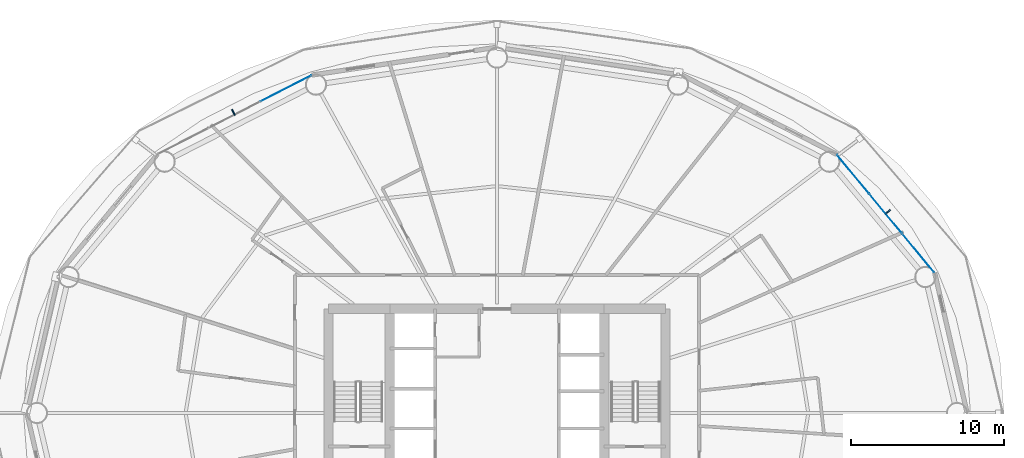
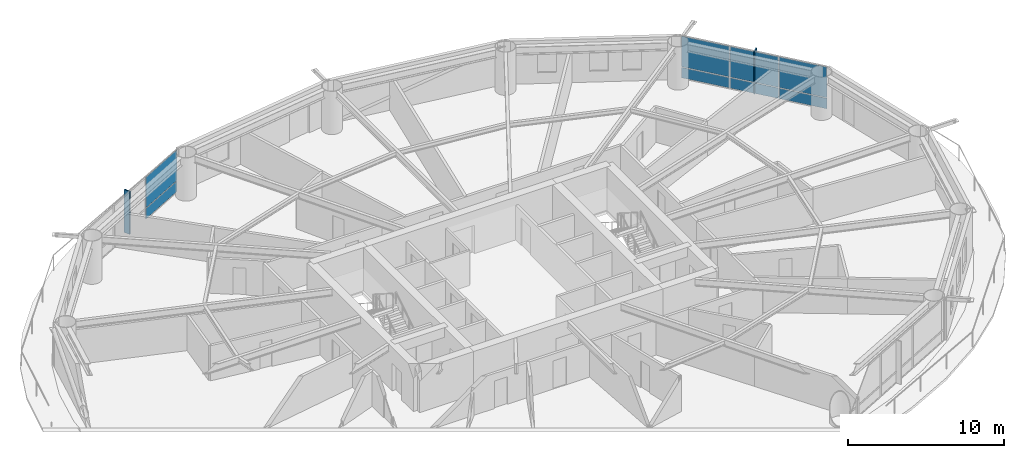
# One storey, part 18 of 26: 10 plates, 2 elements without a shape of their own.
"""IFC4 building model written with IfcOpenShell, lengths in metres."""

import ifcopenshell
import ifcopenshell.guid

model = None  # the IFC model being written
_history = None  # IfcOwnerHistory: only IFC2X3 demands one
_inside = {}  # id of a spatial element -> (the spatial element, [elements in it])
_under = {}  # id of a project, library or spatial element -> (it, [spatial elements below it])
_declared = {}  # id of a project -> (the project, [libraries it declares])
_typed = {}  # id of a type object -> (the type object, [elements of that type])
_made_of = {}  # id of a material, layer set ... -> (it, [elements and type objects made of it])


def new_model(schema):
    """Start an empty IFC model of exactly this schema.

    Asked for "IFC4X3", IfcOpenShell would pick the latest addendum, in which some entities
    have other attributes; the version numbers below select the first issue.
    IFC2X3 requires an IfcOwnerHistory on every rooted entity: one is made here for all.
    """
    global model, _history
    if schema == "IFC4X3":
        model = ifcopenshell.file(schema_version=(4, 3, 0, 0))
    else:
        model = ifcopenshell.file(schema=schema)
    _inside.clear()
    _under.clear()
    _declared.clear()
    _typed.clear()
    _made_of.clear()
    _history = None
    if model.schema == "IFC2X3":
        org = make("IfcOrganization", Name="unknown")
        user = make(
            "IfcPersonAndOrganization",
            ThePerson=make("IfcPerson", FamilyName="unknown"),
            TheOrganization=org,
        )
        app = make(
            "IfcApplication",
            ApplicationDeveloper=org,
            Version="unknown",
            ApplicationFullName="unknown",
            ApplicationIdentifier="unknown",
        )
        _history = make(
            "IfcOwnerHistory",
            OwningUser=user,
            OwningApplication=app,
            ChangeAction="ADDED",
            CreationDate=0,
        )
    return model


def make(cls, **values):
    """One entity of the class cls with the attributes given. An attribute that is None is left unset."""
    return model.create_entity(
        cls, **{name: value for name, value in values.items() if value is not None}
    )


def rooted(cls, **values):
    """An entity with a GlobalId (a new one), such as an element, a storey or a relation."""
    return make(cls, GlobalId=ifcopenshell.guid.new(), OwnerHistory=_history, **values)


def si_unit(unit_type, name, prefix=None):
    """IfcSIUnit, for example si_unit("LENGTHUNIT", "METRE", prefix="MILLI")."""
    return make("IfcSIUnit", UnitType=unit_type, Prefix=prefix, Name=name)


def assignment(units):
    """IfcUnitAssignment: the units of a project."""
    return None if units is None else make("IfcUnitAssignment", Units=units)


def point(xyz):
    """IfcCartesianPoint."""
    return None if xyz is None else make("IfcCartesianPoint", Coordinates=xyz)


def direction(xyz):
    """IfcDirection."""
    return None if xyz is None else make("IfcDirection", DirectionRatios=xyz)


def frame(location, z_axis=None, x_axis=None):
    """IfcAxis2Placement3D, a coordinate frame: its origin and axes. An axis left out is left unset."""
    return make(
        "IfcAxis2Placement3D",
        Location=point(location),
        Axis=direction(z_axis),
        RefDirection=direction(x_axis),
    )


def frame_2d(location, x_axis=None):
    """IfcAxis2Placement2D, a coordinate frame in the plane: its origin and x axis."""
    return make(
        "IfcAxis2Placement2D", Location=point(location), RefDirection=direction(x_axis)
    )


def origin():
    """The frame at (0, 0, 0) with its axes left unset."""
    return frame((0.0, 0.0, 0.0))


def origin_2d():
    """The frame at (0, 0) in the plane with its x axis left unset."""
    return frame_2d((0.0, 0.0))


def place(relative_to, where):
    """IfcLocalPlacement: puts the frame where relative to a parent placement (None: the world)."""
    return make(
        "IfcLocalPlacement", PlacementRelTo=relative_to, RelativePlacement=where
    )


def context(
    kind, dimensions, precision=None, world=None, true_north=None, identifier=None
):
    """IfcGeometricRepresentationContext, for example the 3D "Model" context."""
    return make(
        "IfcGeometricRepresentationContext",
        ContextIdentifier=identifier,
        ContextType=kind,
        CoordinateSpaceDimension=dimensions,
        Precision=precision,
        WorldCoordinateSystem=world,
        TrueNorth=true_north,
    )


def subcontext(parent, identifier, kind, view, scale=None):
    """IfcGeometricRepresentationSubContext, for example "Body" below "Model"."""
    return make(
        "IfcGeometricRepresentationSubContext",
        ContextIdentifier=identifier,
        ContextType=kind,
        ParentContext=parent,
        TargetScale=scale,
        TargetView=view,
    )


def project(units=None, contexts=None):
    """IfcProject with its units and contexts."""
    return rooted(
        "IfcProject",
        Name="project",
        RepresentationContexts=contexts,
        UnitsInContext=assignment(units),
    )


def spatial(cls, under=None, at=None, **own):
    """A site, building, storey or space (cls), placed at a placement, below another one or the project."""
    s = rooted(cls, ObjectPlacement=at, **own)
    if under is not None:
        _under.setdefault(under.id(), (under, []))[1].append(s)
    return s


def profile(cls, at=None, kind="AREA", **sizes):
    """A parametric profile (cls). Its sizes go by their IFC names, for example OverallWidth=200.0."""
    return make(cls, ProfileType=kind, Position=at, **sizes)


def rectangle(**sizes):
    """IfcRectangleProfileDef."""
    return profile("IfcRectangleProfileDef", **sizes)


def extrude(swept, where, along, depth):
    """IfcExtrudedAreaSolid: the profile swept, set in the frame where, extruded along a direction by depth."""
    return make(
        "IfcExtrudedAreaSolid",
        SweptArea=swept,
        Position=where,
        ExtrudedDirection=direction(along),
        Depth=depth,
    )


def shape(context_of_items, identifier, shape_type, items):
    """IfcShapeRepresentation: the items that make up one representation, for example the "Body"."""
    return make(
        "IfcShapeRepresentation",
        ContextOfItems=context_of_items,
        RepresentationIdentifier=identifier,
        RepresentationType=shape_type,
        Items=items,
    )


def material(Name=None, Category=None):
    """IfcMaterial."""
    return make("IfcMaterial", Name=Name, Category=Category)


def layer(
    of_material, thickness, ventilated=None, Name=None, Category=None, Priority=None
):
    """IfcMaterialLayer: one layer of a wall or slab, of a material (None: an air gap)."""
    return make(
        "IfcMaterialLayer",
        Material=of_material,
        LayerThickness=thickness,
        IsVentilated=ventilated,
        Name=Name,
        Category=Category,
        Priority=Priority,
    )


def layer_set(layers, Name=None):
    """IfcMaterialLayerSet."""
    return make("IfcMaterialLayerSet", MaterialLayers=layers, LayerSetName=Name)


def made_of(thing, what):
    """Note that an element or type object is made of a material, layer set ...; save() writes the relation."""
    if what is not None:
        _made_of.setdefault(what.id(), (what, []))[1].append(thing)
    return thing


def type_object(cls, material=None, **own):
    """A type object (cls), such as IfcWallType, which elements share."""
    return made_of(rooted(cls, **own), material)


def element(
    cls,
    number,
    at=None,
    inside=None,
    cuts=None,
    type_object=None,
    material=None,
    context=None,
    identifier="Body",
    shape_type=None,
    held_by="IfcProductDefinitionShape",
    body=None,
    shapes=None,
    **own,
):
    """One element of the class cls, such as IfcWall. Its Tag is "e" and its number.

    at: its placement. inside: the storey or other place that contains it. cuts: it is an
    opening in that element (IfcRelVoidsElement). A single representation is given by context,
    identifier, shape_type and body (its items); several are given by shapes. held_by: the class
    of the entity that holds the representations. save() writes the other relations.
    """
    e = rooted(cls, Tag="e%d" % number, ObjectPlacement=at, **own)
    if body is not None:
        shapes = [shape(context, identifier, shape_type, body)]
    if shapes is not None:
        e.Representation = make(held_by, Representations=shapes)
    if inside is not None:
        _inside.setdefault(inside.id(), (inside, []))[1].append(e)
    if cuts is not None:
        rooted(
            "IfcRelVoidsElement", RelatingBuildingElement=cuts, RelatedOpeningElement=e
        )
    if type_object is not None:
        _typed.setdefault(type_object.id(), (type_object, []))[1].append(e)
    return made_of(e, material)


def aggregate(whole, parts):
    """IfcRelAggregates: a whole, such as a stair, and the parts it consists of."""
    return rooted("IfcRelAggregates", RelatingObject=whole, RelatedObjects=parts)


def save(model, path):
    """Write the relations noted so far, then the file.

    IfcRelAggregates (storeys below a building ...), IfcRelContainedInSpatialStructure (elements
    in a storey), IfcRelDefinesByType, IfcRelAssociatesMaterial and IfcRelDeclares: one each for
    every whole, place, type object, material and project.
    """
    for whole, parts in _under.values():
        aggregate(whole, parts)
    for where, things in _inside.values():
        rooted(
            "IfcRelContainedInSpatialStructure",
            RelatedElements=things,
            RelatingStructure=where,
        )
    for kind, things in _typed.values():
        rooted("IfcRelDefinesByType", RelatedObjects=things, RelatingType=kind)
    for what, things in _made_of.values():
        rooted("IfcRelAssociatesMaterial", RelatedObjects=things, RelatingMaterial=what)
    for by, libraries in _declared.values():
        rooted("IfcRelDeclares", RelatingContext=by, RelatedDefinitions=libraries)
    model.write(path)


model = new_model("IFC4")

# Units and contexts
model_context = context("Model", 3, precision=1e-05, world=origin(), true_north=direction((0.0, 1.0)))
body_context = subcontext(model_context, "Body", "Model", "MODEL_VIEW")
ifc_project = project(units=[si_unit("LENGTHUNIT", "METRE"), si_unit("AREAUNIT", "SQUARE_METRE"), si_unit("VOLUMEUNIT", "CUBIC_METRE"), si_unit("PLANEANGLEUNIT", "RADIAN"), si_unit("MASSUNIT", "GRAM", prefix="KILO")], contexts=[model_context])

# Site, building, storey
site_placement = place(None, origin())
site = spatial("IfcSite", under=ifc_project, at=site_placement, CompositionType="ELEMENT")
building_placement = place(site_placement, origin())
building = spatial("IfcBuilding", under=site, at=building_placement, Name="Sarneth Arch Tower", CompositionType="ELEMENT")
storey_placement = place(building_placement, frame((0.0, 0.0, 49.800048828125)))
storey = spatial("IfcBuildingStorey", under=building, at=storey_placement, Name="L11", CompositionType="ELEMENT", Elevation=49.800048828125)

# Curtain wall, plates
ifc_material_1 = material(Name="Anodised aluminium Type AA25 and solar-control low-e laminated IGU", Category="aluminium")
ifc_layer_1 = layer(ifc_material_1, 0.159912109375)
ifc_layer_set_1 = layer_set([ifc_layer_1], Name="Anodised aluminium Type AA25 and solar-control low-e laminated IGU")
curtain_wall_type = type_object("IfcCurtainWallType", Name="CW-HOTEL-LOW", PredefinedType="NOTDEFINED", material=ifc_layer_set_1)
curtain_wall_1_placement = place(storey_placement, origin())
curtain_wall_1 = element("IfcCurtainWall", 1, at=curtain_wall_1_placement, inside=storey, type_object=curtain_wall_type, Name="L11 Unitised curtain wall facet 02", PredefinedType="NOTDEFINED")
ifc_material_2 = material(Name="Solar-control low-e laminated IGU", Category="glass")
ifc_layer_2 = layer(ifc_material_2, 0.028076171875)
ifc_layer_set_2 = layer_set([ifc_layer_2], Name="Solar-control low-e laminated IGU")
plate_type_1 = type_object("IfcPlateType", Name="CW-PANEL", PredefinedType="CURTAIN_PANEL", material=ifc_layer_set_2)
plate_1_placement = place(storey_placement, frame((75.503662109375, 52.441162109375, 0.059814453125), z_axis=(0.0, 0.0, 1.0), x_axis=(-0.637291340827, 0.770622960278, 0.0)))
plate_1 = element("IfcPlate", 2, at=plate_1_placement, type_object=plate_type_1, Name="Curtain wall glazed vision pane CW-L11-F02/P00-00", PredefinedType="CURTAIN_PANEL", context=body_context, shape_type="SweptSolid", body=[
    extrude(rectangle(XDim=3.260986328125, YDim=0.028076171875, at=origin_2d()), origin(), (0.0, 0.0, 1.0), 0.81005859375),
])
plate_2_placement = place(storey_placement, frame((75.503662109375, 52.441162109375, 0.93017578125), z_axis=(0.0, 0.0, 1.0), x_axis=(-0.637291340827, 0.770622960278, 0.0)))
plate_2 = element("IfcPlate", 3, at=plate_2_placement, type_object=plate_type_1, Name="Curtain wall glazed vision pane CW-L11-F02/P00-01", PredefinedType="CURTAIN_PANEL", context=body_context, shape_type="SweptSolid", body=[
    extrude(rectangle(XDim=3.260986328125, YDim=0.028076171875, at=origin_2d()), origin(), (0.0, 0.0, 1.0), 2.389892578125),
])
plate_3_placement = place(storey_placement, frame((73.37744140625, 55.01220703125, 0.059814453125), z_axis=(0.0, 0.0, 1.0), x_axis=(-0.637291340827, 0.770622960278, 0.0)))
plate_3 = element("IfcPlate", 4, at=plate_3_placement, type_object=plate_type_1, Name="Curtain wall glazed vision pane CW-L11-F02/P01-00", PredefinedType="CURTAIN_PANEL", context=body_context, shape_type="SweptSolid", body=[
    extrude(rectangle(XDim=3.291015625, YDim=0.028076171875, at=origin_2d()), origin(), (0.0, 0.0, 1.0), 0.81005859375),
])
plate_4_placement = place(storey_placement, frame((73.37744140625, 55.01220703125, 0.93017578125), z_axis=(0.0, 0.0, 1.0), x_axis=(-0.637291340827, 0.770622960278, 0.0)))
plate_4 = element("IfcPlate", 5, at=plate_4_placement, type_object=plate_type_1, Name="Curtain wall glazed vision pane CW-L11-F02/P01-01", PredefinedType="CURTAIN_PANEL", context=body_context, shape_type="SweptSolid", body=[
    extrude(rectangle(XDim=3.291015625, YDim=0.028076171875, at=origin_2d()), origin(), (0.0, 0.0, 1.0), 2.389892578125),
])
plate_5_placement = place(storey_placement, frame((71.25146484375, 57.5830078125, 0.059814453125), z_axis=(0.0, 0.0, 1.0), x_axis=(-0.637291340827, 0.770622960278, 0.0)))
plate_5 = element("IfcPlate", 6, at=plate_5_placement, type_object=plate_type_1, Name="Curtain wall glazed vision pane CW-L11-F02/P02-00", PredefinedType="CURTAIN_PANEL", context=body_context, shape_type="SweptSolid", body=[
    extrude(rectangle(XDim=3.260986328125, YDim=0.028076171875, at=origin_2d()), origin(), (0.0, 0.0, 1.0), 0.81005859375),
])
plate_6_placement = place(storey_placement, frame((71.25146484375, 57.5830078125, 0.93017578125), z_axis=(0.0, 0.0, 1.0), x_axis=(-0.637291340827, 0.770622960278, 0.0)))
plate_6 = element("IfcPlate", 7, at=plate_6_placement, type_object=plate_type_1, Name="Curtain wall glazed vision pane CW-L11-F02/P02-01", PredefinedType="CURTAIN_PANEL", context=body_context, shape_type="SweptSolid", body=[
    extrude(rectangle(XDim=3.260986328125, YDim=0.028076171875, at=origin_2d()), origin(), (0.0, 0.0, 1.0), 2.389892578125),
])
aggregate(curtain_wall_1, [plate_1, plate_2, plate_3, plate_4, plate_5, plate_6])

curtain_wall_2_placement = place(storey_placement, origin())
curtain_wall_2 = element("IfcCurtainWall", 8, at=curtain_wall_2_placement, inside=storey, type_object=curtain_wall_type, Name="L11 Unitised curtain wall facet 06", PredefinedType="NOTDEFINED")
plate_7_placement = place(storey_placement, frame((34.22607421875, 63.192626953125, 0.059814453125), z_axis=(0.0, 0.0, 1.0), x_axis=(-0.889854100456, -0.456245197127, 0.0)))
plate_7 = element("IfcPlate", 9, at=plate_7_placement, type_object=plate_type_1, Name="Curtain wall glazed vision pane CW-L11-F06/P00-00", PredefinedType="CURTAIN_PANEL", context=body_context, shape_type="SweptSolid", body=[
    extrude(rectangle(XDim=3.69189453125, YDim=0.028076171875, at=origin_2d()), origin(), (0.0, 0.0, 1.0), 0.81005859375),
])
plate_8_placement = place(storey_placement, frame((34.22607421875, 63.192626953125, 0.93017578125), z_axis=(0.0, 0.0, 1.0), x_axis=(-0.889854100456, -0.456245197127, 0.0)))
plate_8 = element("IfcPlate", 10, at=plate_8_placement, type_object=plate_type_1, Name="Curtain wall glazed vision pane CW-L11-F06/P00-01", PredefinedType="CURTAIN_PANEL", context=body_context, shape_type="SweptSolid", body=[
    extrude(rectangle(XDim=3.69189453125, YDim=0.028076171875, at=origin_2d()), origin(), (0.0, 0.0, 1.0), 2.389892578125),
])
aggregate(curtain_wall_2, [plate_7, plate_8])

# Plates
ifc_material_3 = material(Name="Extruded glazed terracotta baguette fin on Aluminium 6063-T6 carrier", Category="masonry")
ifc_layer_3 = layer(ifc_material_3, 0.080078125)
ifc_layer_set_3 = layer_set([ifc_layer_3], Name="Extruded glazed terracotta baguette fin on Aluminium 6063-T6 carrier")
plate_type_2 = type_object("IfcPlateType", Name="SHADE-TERRA-FIN", PredefinedType="SHEET", material=ifc_layer_set_3)
for number, where, z_axis, x_axis, name in (
    (11, (73.508544921875, 55.120361328125, 0.009765625), (0.0, 0.0, 1.0), (0.770624482513, 0.637289500111, 0.0), "L11 Terracotta vertical shading fin 02"),
    (12, (30.79638671875, 61.625244140625, 0.009765625), (0.0, 0.0, 1.0), (-0.4563215909, 0.889814927768, 0.0), "L11 Terracotta vertical shading fin 06"),
):
    element("IfcPlate", number, at=place(storey_placement, frame(where, z_axis=z_axis, x_axis=x_axis)), inside=storey, type_object=plate_type_2, Name=name, PredefinedType="SHEET", context=body_context, shape_type="SweptSolid", body=[
        extrude(rectangle(XDim=0.419921875, YDim=0.080078125, at=origin_2d()), origin(), (0.0, 0.0, 1.0), 3.360107421875),
    ])

save(model, "model.ifc")
